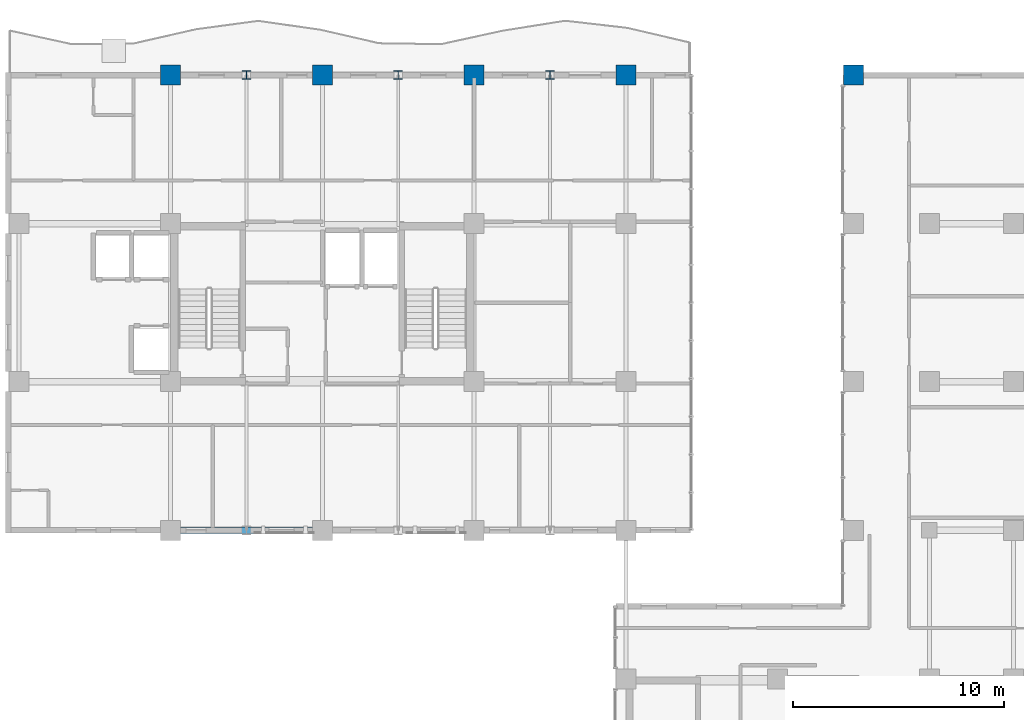
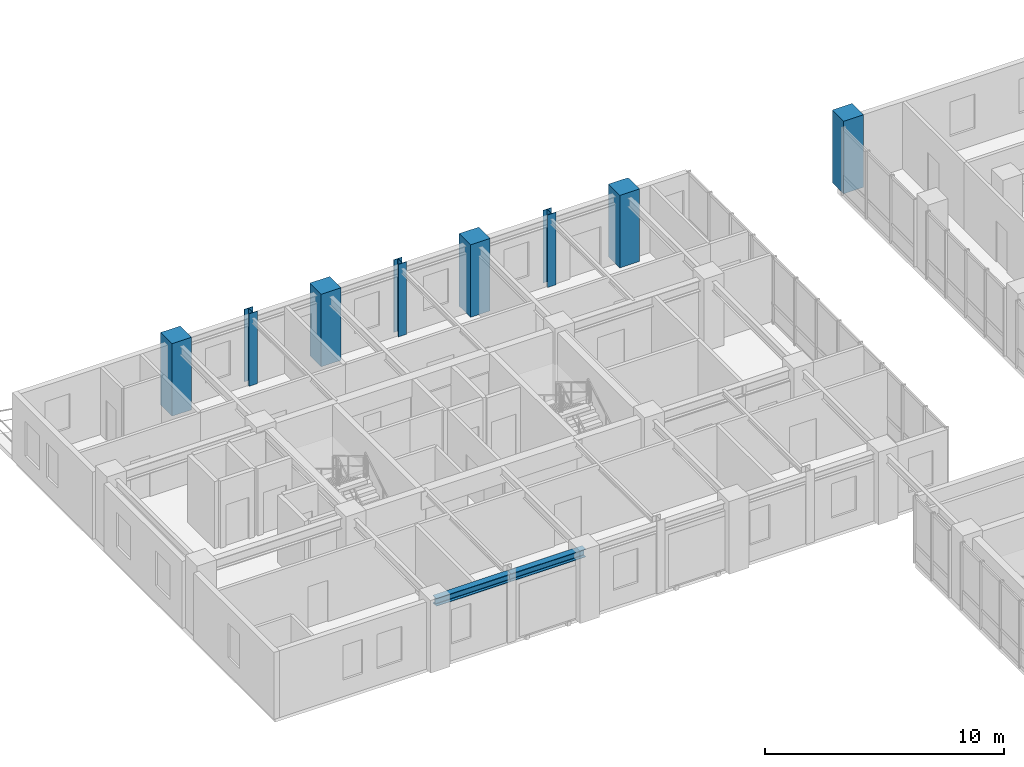
# One storey, part 3 of 24: 8 columns, 2 beams.
"""IFC4 building model written with IfcOpenShell, lengths in metres."""

from ifc_helpers import new_model, si_unit, direction, frame, origin, origin_2d, place, context, subcontext, project, spatial, rectangle, i_section, extrude, source, transform, mapped, material, material_profile, profile_set, type_object, element, save


model = new_model("IFC4")

# Units and contexts
model_context = context("Model", 3, precision=1e-05, world=origin(), true_north=direction((0.0, 1.0)))
body_context = subcontext(model_context, "Body", "Model", "MODEL_VIEW")
ifc_project = project(units=[si_unit("LENGTHUNIT", "METRE"), si_unit("AREAUNIT", "SQUARE_METRE"), si_unit("VOLUMEUNIT", "CUBIC_METRE"), si_unit("PLANEANGLEUNIT", "RADIAN"), si_unit("MASSUNIT", "GRAM", prefix="KILO")], contexts=[model_context])

# Site, building, storey
site_placement = place(None, origin())
site = spatial("IfcSite", under=ifc_project, at=site_placement, CompositionType="ELEMENT")
building_placement = place(site_placement, origin())
building = spatial("IfcBuilding", under=site, at=building_placement, Name="Kaliganga Portal Commons", CompositionType="ELEMENT")
storey_placement = place(building_placement, frame((0.0, 0.0, 235.10009765625)))
storey = spatial("IfcBuildingStorey", under=building, at=storey_placement, Name="L60", CompositionType="ELEMENT", Elevation=235.10009765625)

# Columns
ifc_material_1 = material(Name="Concrete C50/60", Category="concrete")
ifc_material_profile_1 = material_profile(ifc_material_1, rectangle(XDim=0.949951171875, YDim=0.949951171875, at=origin_2d()), Name="RC 950x950")
ifc_profile_set_1 = profile_set([ifc_material_profile_1], Name="Concrete C50/60")
column_type_1 = type_object("IfcColumnType", Name="COL-MEGA-Z4", PredefinedType="COLUMN", material=ifc_profile_set_1)
shared_shape_1 = source(origin(), body_context, "Body", "SweptSolid", [
    extrude(rectangle(XDim=0.949951171875, YDim=0.949951171875, at=origin_2d()), origin(), (0.0, 0.0, 1.0), 3.699951171875),
])
for number, where, z_axis, x_axis, name in (
    (1, (14.39990234375, 43.199951171875, 0.0), (0.0, 0.0, 1.0), (1.0, 0.0, 0.0), "Column MC-05 L60"),
    (2, (21.60009765625, 43.199951171875, 0.0), (0.0, 0.0, 1.0), (1.0, 0.0, 0.0), "Column MC-05 L60"),
    (3, (28.800048828125, 43.199951171875, 0.0), (0.0, 0.0, 1.0), (1.0, 0.0, 0.0), "Column MC-05 L60"),
    (4, (36.0, 43.199951171875, 0.0), (0.0, 0.0, 1.0), (1.0, 0.0, 0.0), "Column MC-05 L60"),
    (5, (46.800048828125, 43.199951171875, 0.0), (0.0, 0.0, 1.0), (1.0, 0.0, 0.0), "Column MC-05 L60"),
):
    element("IfcColumn", number, at=place(storey_placement, frame(where, z_axis=z_axis, x_axis=x_axis)), inside=storey, type_object=column_type_1, Name=name, PredefinedType="COLUMN", context=body_context, shape_type="MappedRepresentation", body=[
        mapped(shared_shape_1, transform((0.0, 0.0, 0.0), x_axis=(1.0, 0.0, 0.0), y_axis=(0.0, 1.0, 0.0), z_axis=(0.0, 0.0, 1.0), scale=1.0)),
    ])
ifc_material_2 = material(Name="Structural steel S355J2", Category="steel")
ifc_material_profile_2 = material_profile(ifc_material_2, i_section(OverallWidth=0.39892578125, OverallDepth=0.39990234375, WebThickness=0.017333984375, FlangeThickness=0.0234375, FilletRadius=0.014892578125, at=origin_2d()), Name="HD 400x287")
ifc_profile_set_2 = profile_set([ifc_material_profile_2], Name="Structural steel S355J2 wide-flange")
column_type_2 = type_object("IfcColumnType", Name="COL-TUBE-B4", PredefinedType="COLUMN", material=ifc_profile_set_2)
shared_shape_2 = source(origin(), body_context, "Body", "SweptSolid", [
    extrude(i_section(OverallWidth=0.39892578125, OverallDepth=0.39990234375, WebThickness=0.017333984375, FlangeThickness=0.0234375, FilletRadius=0.014892578125, at=origin_2d()), origin(), (0.0, 0.0, 1.0), 3.699951171875),
])
for number, where, z_axis, x_axis, name in (
    (6, (18.0, 43.199951171875, 0.0), (0.0, 0.0, 1.0), (1.0, 0.0, 0.0), "Column TC-04 L60"),
    (7, (25.199951171875, 43.199951171875, 0.0), (0.0, 0.0, 1.0), (1.0, 0.0, 0.0), "Column TC-04 L60"),
    (8, (32.39990234375, 43.199951171875, 0.0), (0.0, 0.0, 1.0), (1.0, 0.0, 0.0), "Column TC-04 L60"),
):
    element("IfcColumn", number, at=place(storey_placement, frame(where, z_axis=z_axis, x_axis=x_axis)), inside=storey, type_object=column_type_2, Name=name, PredefinedType="COLUMN", context=body_context, shape_type="MappedRepresentation", body=[
        mapped(shared_shape_2, transform((0.0, 0.0, 0.0), x_axis=(1.0, 0.0, 0.0), y_axis=(0.0, 1.0, 0.0), z_axis=(0.0, 0.0, 1.0), scale=1.0)),
    ])

# Beams
ifc_material_profile_3 = material_profile(ifc_material_2, i_section(OverallWidth=0.300048828125, OverallDepth=0.39990234375, WebThickness=0.013427734375, FlangeThickness=0.02392578125, FilletRadius=0.027099609375, at=origin_2d()), Name="HE 400 B")
ifc_profile_set_3 = profile_set([ifc_material_profile_3], Name="Structural steel S355J2 wide-flange")
beam_type = type_object("IfcBeamType", Name="BM-SPAND-400", PredefinedType="SPANDREL", material=ifc_profile_set_3)
shared_shape_3 = source(origin(), body_context, "Body", "SweptSolid", [
    extrude(i_section(OverallWidth=0.300048828125, OverallDepth=0.39990234375, WebThickness=0.013427734375, FlangeThickness=0.02392578125, FilletRadius=0.027099609375, at=origin_2d()), origin(), (0.0, 0.0, 1.0), 3.60009765625),
])
for number, where, z_axis, x_axis, name in (
    (9, (14.39990234375, 21.60009765625, 3.239990234375), (1.0, 0.0, 0.0), (0.0, 1.0, 0.0), "BM SP L60 AS 1"),
    (10, (18.0, 21.60009765625, 3.239990234375), (1.0, 0.0, 0.0), (0.0, 1.0, 0.0), "BM SP L60 AS 2"),
):
    element("IfcBeam", number, at=place(storey_placement, frame(where, z_axis=z_axis, x_axis=x_axis)), inside=storey, type_object=beam_type, Name=name, PredefinedType="SPANDREL", context=body_context, shape_type="MappedRepresentation", body=[
        mapped(shared_shape_3, transform((0.0, 0.0, 0.0), x_axis=(1.0, 0.0, 0.0), y_axis=(0.0, 1.0, 0.0), z_axis=(0.0, 0.0, 1.0), scale=1.0)),
    ])

save(model, "model.ifc")
